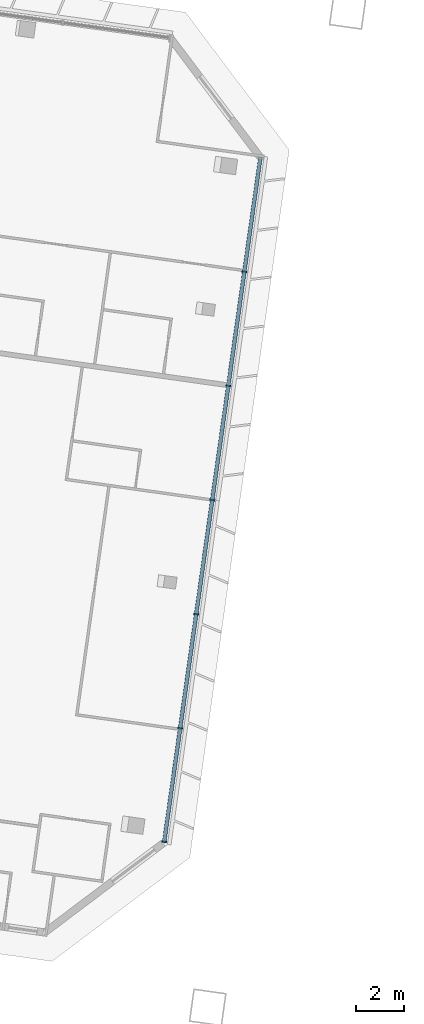
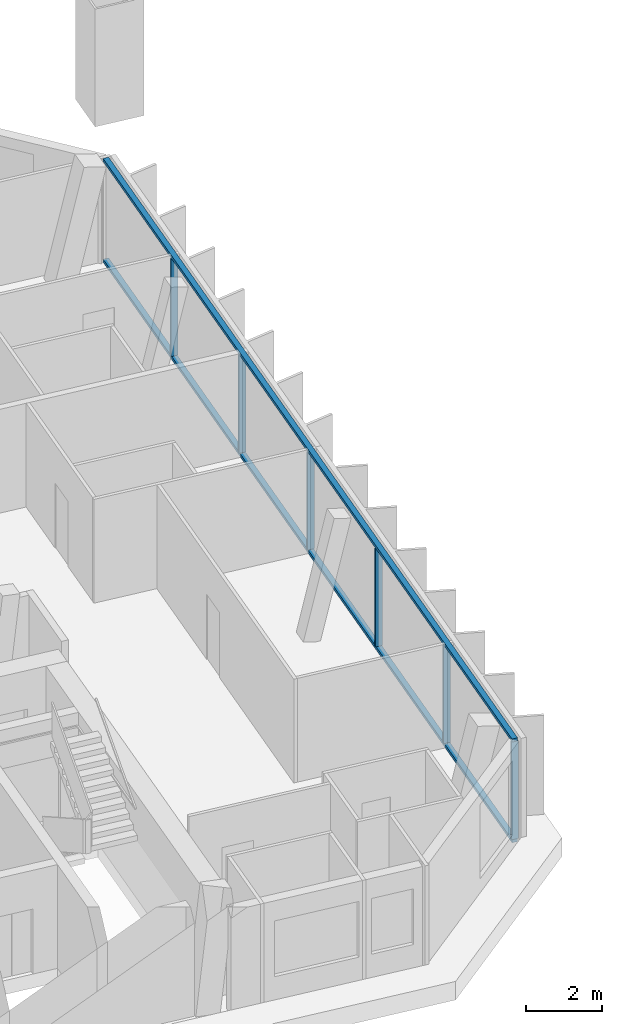
# One storey, part 5 of 26: 8 members, 1 element without a shape of its own.
"""IFC4 building model written with IfcOpenShell, lengths in metres."""

from ifc_helpers import new_model, si_unit, direction, frame, origin, origin_2d, place, context, subcontext, project, spatial, rectangle, extrude, material, material_profile, profile_set, type_object, element, aggregate, save


model = new_model("IFC4")

# Units and contexts
model_context = context("Model", 3, precision=1e-05, world=origin(), true_north=direction((0.0, 1.0)))
body_context = subcontext(model_context, "Body", "Model", "MODEL_VIEW")
ifc_project = project(units=[si_unit("LENGTHUNIT", "METRE"), si_unit("AREAUNIT", "SQUARE_METRE"), si_unit("VOLUMEUNIT", "CUBIC_METRE"), si_unit("PLANEANGLEUNIT", "RADIAN"), si_unit("MASSUNIT", "GRAM", prefix="KILO")], contexts=[model_context])

# Site, building, storey
site_placement = place(None, origin())
site = spatial("IfcSite", under=ifc_project, at=site_placement, CompositionType="ELEMENT")
building_placement = place(site_placement, origin())
building = spatial("IfcBuilding", under=site, at=building_placement, Name="Mirante Cascada Hotel Towers", CompositionType="ELEMENT")
storey_placement = place(building_placement, frame((0.0, 0.0, 216.6)))
storey = spatial("IfcBuildingStorey", under=building, at=storey_placement, Name="L51", CompositionType="ELEMENT", Elevation=216.6)

# Curtain wall, members
ifc_material_1 = material(Name="Aluminium mullion and transom frame with clear laminated glass", Category="aluminium")
curtain_wall_type = type_object("IfcCurtainWallType", Name="End ribbon curtain wall ECW2", PredefinedType="NOTDEFINED", material=ifc_material_1)
curtain_wall_placement = place(storey_placement, origin())
curtain_wall = element("IfcCurtainWall", 1, at=curtain_wall_placement, inside=storey, type_object=curtain_wall_type, Name="Inner end wall T1 L51", PredefinedType="NOTDEFINED")
ifc_material_2 = material(Name="Anodised aluminium extrusion", Category="aluminium")
ifc_material_profile_1 = material_profile(ifc_material_2, rectangle(XDim=0.2, YDim=0.065, at=origin_2d()), Name="ECW2 MULLION 65x200")
ifc_profile_set_1 = profile_set([ifc_material_profile_1], Name="Anodised aluminium extrusion")
member_type_1 = type_object("IfcMemberType", Name="ECW2 mullion 65x200", PredefinedType="MULLION", material=ifc_profile_set_1)
member_1_placement = place(storey_placement, frame((-23.862, 6.8572, 0.1), z_axis=(0.0, 0.0, 1.0), x_axis=(0.9902681, -0.1391731, 0.0)))
member_1 = element("IfcMember", 2, at=member_1_placement, type_object=member_type_1, Name="ECW2 mullion 2", PredefinedType="MULLION", context=body_context, shape_type="SweptSolid", body=[
    extrude(rectangle(XDim=0.2, YDim=0.065, at=origin_2d()), origin(), (0.0, 0.0, 1.0), 3.15),
])
member_2_placement = place(storey_placement, frame((-24.5318, 2.0914, 0.1), z_axis=(0.0, 0.0, 1.0), x_axis=(0.9902681, -0.1391731, 0.0)))
member_2 = element("IfcMember", 3, at=member_2_placement, type_object=member_type_1, Name="ECW2 mullion 3", PredefinedType="MULLION", context=body_context, shape_type="SweptSolid", body=[
    extrude(rectangle(XDim=0.2, YDim=0.065, at=origin_2d()), origin(), (0.0, 0.0, 1.0), 3.15),
])
member_3_placement = place(storey_placement, frame((-25.2016, -2.6744, 0.1), z_axis=(0.0, 0.0, 1.0), x_axis=(0.9902681, -0.1391731, 0.0)))
member_3 = element("IfcMember", 4, at=member_3_placement, type_object=member_type_1, Name="ECW2 mullion 4", PredefinedType="MULLION", context=body_context, shape_type="SweptSolid", body=[
    extrude(rectangle(XDim=0.2, YDim=0.065, at=origin_2d()), origin(), (0.0, 0.0, 1.0), 3.15),
])
member_4_placement = place(storey_placement, frame((-25.8714, -7.4402, 0.1), z_axis=(0.0, 0.0, 1.0), x_axis=(0.9902681, -0.1391731, 0.0)))
member_4 = element("IfcMember", 5, at=member_4_placement, type_object=member_type_1, Name="ECW2 mullion 5", PredefinedType="MULLION", context=body_context, shape_type="SweptSolid", body=[
    extrude(rectangle(XDim=0.2, YDim=0.065, at=origin_2d()), origin(), (0.0, 0.0, 1.0), 3.15),
])
member_5_placement = place(storey_placement, frame((-26.5412, -12.2059, 0.1), z_axis=(0.0, 0.0, 1.0), x_axis=(0.9902681, -0.1391731, 0.0)))
member_5 = element("IfcMember", 6, at=member_5_placement, type_object=member_type_1, Name="ECW2 mullion 6", PredefinedType="MULLION", context=body_context, shape_type="SweptSolid", body=[
    extrude(rectangle(XDim=0.2, YDim=0.065, at=origin_2d()), origin(), (0.0, 0.0, 1.0), 3.15),
])
member_6_placement = place(storey_placement, frame((-27.2064, -16.9396, 0.1), z_axis=(0.0, 0.0, 1.0), x_axis=(0.9902681, -0.1391731, 0.0)))
member_6 = element("IfcMember", 7, at=member_6_placement, type_object=member_type_1, Name="ECW2 mullion 7", PredefinedType="MULLION", context=body_context, shape_type="SweptSolid", body=[
    extrude(rectangle(XDim=0.2, YDim=0.065, at=origin_2d()), origin(), (0.0, 0.0, 1.0), 3.15),
])
ifc_material_3 = material(Name="Anodised aluminium extrusion", Category="aluminium")
ifc_material_profile_2 = material_profile(ifc_material_3, rectangle(XDim=0.16, YDim=0.1, at=origin_2d()), Name="ECW2 TRANSOM 100x160")
ifc_profile_set_2 = profile_set([ifc_material_profile_2], Name="Anodised aluminium extrusion")
member_type_2 = type_object("IfcMemberType", Name="ECW2 transom 100x160", PredefinedType="USERDEFINED", material=ifc_profile_set_2)
member_7_placement = place(storey_placement, frame((-23.1922, 11.623, 0.05), z_axis=(-0.1391723, -0.9902682, 0.0), x_axis=(0.9902682, -0.1391723, 0.0)))
member_7 = element("IfcMember", 8, at=member_7_placement, type_object=member_type_2, Name="ECW2 sill transom", ObjectType="TRANSOM", PredefinedType="USERDEFINED", context=body_context, shape_type="SweptSolid", body=[
    extrude(rectangle(XDim=0.16, YDim=0.1, at=origin_2d()), origin(), (0.0, 0.0, 1.0), 28.8757),
])
member_8_placement = place(storey_placement, frame((-23.1922, 11.623, 3.3), z_axis=(-0.1391723, -0.9902682, 0.0), x_axis=(0.9902682, -0.1391723, 0.0)))
member_8 = element("IfcMember", 9, at=member_8_placement, type_object=member_type_2, Name="ECW2 head transom", ObjectType="TRANSOM", PredefinedType="USERDEFINED", context=body_context, shape_type="SweptSolid", body=[
    extrude(rectangle(XDim=0.16, YDim=0.1, at=origin_2d()), origin(), (0.0, 0.0, 1.0), 28.8757),
])
aggregate(curtain_wall, [member_7, member_8, member_1, member_2, member_3, member_4, member_5, member_6])

save(model, "model.ifc")
